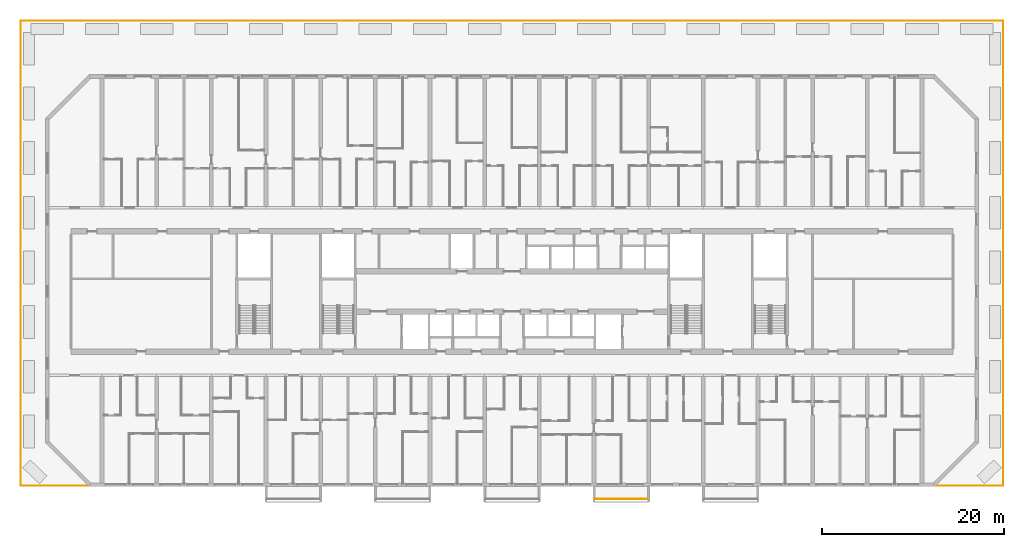
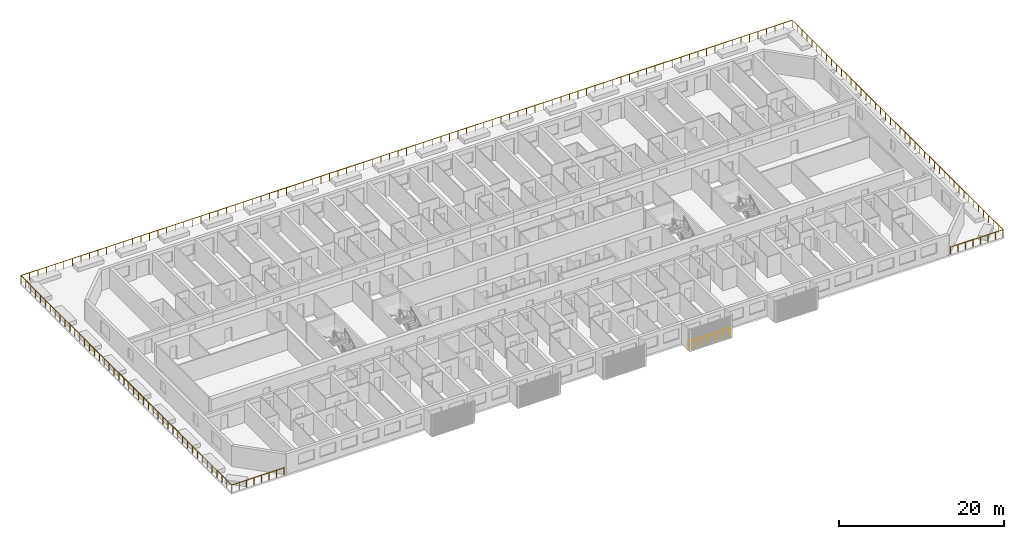
# One storey, part 22 of 23: 2 railings.
"""IFC4 building model written with IfcOpenShell, lengths in metres."""

from ifc_helpers import new_model, si_unit, direction, frame, origin, origin_2d, place, context, subcontext, project, spatial, circle, extrude, material, type_object, element, save


model = new_model("IFC4")

# Units and contexts
model_context = context("Model", 3, precision=1e-05, world=origin(), true_north=direction((0.0, 1.0)))
body_context = subcontext(model_context, "Body", "Model", "MODEL_VIEW")
ifc_project = project(units=[si_unit("LENGTHUNIT", "METRE"), si_unit("AREAUNIT", "SQUARE_METRE"), si_unit("VOLUMEUNIT", "CUBIC_METRE"), si_unit("PLANEANGLEUNIT", "RADIAN"), si_unit("MASSUNIT", "GRAM", prefix="KILO")], contexts=[model_context])

# Site, building, storey
site_placement = place(None, origin())
site = spatial("IfcSite", under=ifc_project, at=site_placement, CompositionType="ELEMENT")
building_placement = place(site_placement, origin())
building = spatial("IfcBuilding", under=site, at=building_placement, Name="Poui Terraces", CompositionType="ELEMENT")
storey_placement = place(building_placement, frame((0.0, 0.0, 23.39990234375)))
storey = spatial("IfcBuildingStorey", under=building, at=storey_placement, Name="L05", CompositionType="ELEMENT", Elevation=23.39990234375)

# Railings
ifc_material = material(Name="Painted steel fretwork", Category="steel")
railing_type_1 = type_object("IfcRailingType", Name="BALCONY GUARD 1100", PredefinedType="GUARDRAIL", material=ifc_material)
railing_1_placement = place(storey_placement, frame((60.10009765625, -1.570068359375, 0.0)))
element("IfcRailing", 1, at=railing_1_placement, inside=storey, type_object=railing_type_1, Name="BALCONY GUARD", PredefinedType="GUARDRAIL", context=body_context, shape_type="SweptSolid", body=[
    extrude(circle(Radius=0.02392578125, at=origin_2d()), frame((0.0, 0.0, 1.076171875), z_axis=(1.0, 0.0, 0.0), x_axis=(0.0, 1.0, 0.0)), (0.0, 0.0, 1.0), 5.7998046875),
    extrude(circle(Radius=0.02099609375, at=origin_2d()), origin(), (0.0, 0.0, 1.0), 1.052001953125),
    extrude(circle(Radius=0.02099609375, at=origin_2d()), frame((0.966552734375, 0.0, 0.0)), (0.0, 0.0, 1.0), 1.052001953125),
    extrude(circle(Radius=0.02099609375, at=origin_2d()), frame((1.933349609375, 0.0, 0.0)), (0.0, 0.0, 1.0), 1.052001953125),
    extrude(circle(Radius=0.02099609375, at=origin_2d()), frame((2.89990234375, 0.0, 0.0)), (0.0, 0.0, 1.0), 1.052001953125),
    extrude(circle(Radius=0.02099609375, at=origin_2d()), frame((3.866455078125, 0.0, 0.0)), (0.0, 0.0, 1.0), 1.052001953125),
    extrude(circle(Radius=0.02099609375, at=origin_2d()), frame((4.833251953125, 0.0, 0.0)), (0.0, 0.0, 1.0), 1.052001953125),
    extrude(circle(Radius=0.02099609375, at=origin_2d()), frame((5.7998046875, 0.0, 0.0)), (0.0, 0.0, 1.0), 1.052001953125),
])
railing_type_2 = type_object("IfcRailingType", Name="TERRACE GUARD 1100", PredefinedType="GUARDRAIL", material=ifc_material)
railing_2_placement = place(storey_placement, frame((4.443359375, -0.04345703125, 0.0)))
element("IfcRailing", 2, at=railing_2_placement, inside=storey, type_object=railing_type_2, Name="TERRACE GUARD", PredefinedType="GUARDRAIL", context=body_context, shape_type="SweptSolid", body=[
    extrude(circle(Radius=0.02392578125, at=origin_2d()), frame((0.0, 0.0, 1.076171875), z_axis=(-0.705577907011, -0.708632356824, 0.0), x_axis=(0.708632356824, -0.705577907011, 0.0)), (0.0, 0.0, 1.0), 0.079833984375),
    extrude(circle(Radius=0.02392578125, at=origin_2d()), frame((-0.056396484375, -0.056640625, 1.076171875), z_axis=(0.707106781187, -0.707106781187, 0.0), x_axis=(0.707106781187, 0.707106781187, 0.0)), (0.0, 0.0, 1.0), 0.0283203125),
    extrude(circle(Radius=0.02392578125, at=origin_2d()), frame((-0.036376953125, -0.07666015625, 1.076171875), z_axis=(-1.0, 0.0, 0.0), x_axis=(0.0, -1.0, 0.0)), (0.0, 0.0, 1.0), 7.326904296875),
    extrude(circle(Radius=0.02392578125, at=origin_2d()), frame((-7.36328125, -0.07666015625, 1.076171875), z_axis=(0.0, 1.0, 0.0), x_axis=(-1.0, 0.0, 0.0)), (0.0, 0.0, 1.0), 51.0400390625),
    extrude(circle(Radius=0.02392578125, at=origin_2d()), frame((-7.36328125, 50.96337890625, 1.076171875), z_axis=(1.0, 0.0, 0.0), x_axis=(0.0, 1.0, 0.0)), (0.0, 0.0, 1.0), 107.83984375),
    extrude(circle(Radius=0.02392578125, at=origin_2d()), frame((100.4765625, 50.96337890625, 1.076171875), z_axis=(0.0, -1.0, 0.0), x_axis=(1.0, 0.0, 0.0)), (0.0, 0.0, 1.0), 51.0400390625),
    extrude(circle(Radius=0.02392578125, at=origin_2d()), frame((100.4765625, -0.07666015625, 1.076171875), z_axis=(-1.0, 0.0, 0.0), x_axis=(0.0, -1.0, 0.0)), (0.0, 0.0, 1.0), 7.326904296875),
    extrude(circle(Radius=0.02392578125, at=origin_2d()), frame((93.149658203125, -0.07666015625, 1.076171875), z_axis=(0.707106781187, 0.707106781187, 0.0), x_axis=(-0.707106781187, 0.707106781187, 0.0)), (0.0, 0.0, 1.0), 0.0283203125),
    extrude(circle(Radius=0.02392578125, at=origin_2d()), frame((93.169677734375, -0.056640625, 1.076171875), z_axis=(-0.705577907011, 0.708632356824, 0.0), x_axis=(-0.708632356824, -0.705577907011, 0.0)), (0.0, 0.0, 1.0), 0.079833984375),
    extrude(circle(Radius=0.02099609375, at=origin_2d()), origin(), (0.0, 0.0, 1.0), 1.052001953125),
    extrude(circle(Radius=0.02099609375, at=origin_2d()), frame((-0.056396484375, -0.056640625, 0.0)), (0.0, 0.0, 1.0), 1.052001953125),
    extrude(circle(Radius=0.02099609375, at=origin_2d()), frame((-0.036376953125, -0.07666015625, 0.0)), (0.0, 0.0, 1.0), 1.052001953125),
    extrude(circle(Radius=0.02099609375, at=origin_2d()), frame((-1.0830078125, -0.07666015625, 0.0)), (0.0, 0.0, 1.0), 1.052001953125),
    extrude(circle(Radius=0.02099609375, at=origin_2d()), frame((-2.1298828125, -0.07666015625, 0.0)), (0.0, 0.0, 1.0), 1.052001953125),
    extrude(circle(Radius=0.02099609375, at=origin_2d()), frame((-3.176513671875, -0.07666015625, 0.0)), (0.0, 0.0, 1.0), 1.052001953125),
    extrude(circle(Radius=0.02099609375, at=origin_2d()), frame((-4.22314453125, -0.07666015625, 0.0)), (0.0, 0.0, 1.0), 1.052001953125),
    extrude(circle(Radius=0.02099609375, at=origin_2d()), frame((-5.269775390625, -0.07666015625, 0.0)), (0.0, 0.0, 1.0), 1.052001953125),
    extrude(circle(Radius=0.02099609375, at=origin_2d()), frame((-6.316650390625, -0.07666015625, 0.0)), (0.0, 0.0, 1.0), 1.052001953125),
    extrude(circle(Radius=0.02099609375, at=origin_2d()), frame((-7.36328125, -0.07666015625, 0.0)), (0.0, 0.0, 1.0), 1.052001953125),
    extrude(circle(Radius=0.02099609375, at=origin_2d()), frame((-7.36328125, 1.1103515625, 0.0)), (0.0, 0.0, 1.0), 1.052001953125),
    extrude(circle(Radius=0.02099609375, at=origin_2d()), frame((-7.36328125, 2.29736328125, 0.0)), (0.0, 0.0, 1.0), 1.052001953125),
    extrude(circle(Radius=0.02099609375, at=origin_2d()), frame((-7.36328125, 3.484375, 0.0)), (0.0, 0.0, 1.0), 1.052001953125),
    extrude(circle(Radius=0.02099609375, at=origin_2d()), frame((-7.36328125, 4.671142578125, 0.0)), (0.0, 0.0, 1.0), 1.052001953125),
    extrude(circle(Radius=0.02099609375, at=origin_2d()), frame((-7.36328125, 5.858154296875, 0.0)), (0.0, 0.0, 1.0), 1.052001953125),
    extrude(circle(Radius=0.02099609375, at=origin_2d()), frame((-7.36328125, 7.045166015625, 0.0)), (0.0, 0.0, 1.0), 1.052001953125),
    extrude(circle(Radius=0.02099609375, at=origin_2d()), frame((-7.36328125, 8.232177734375, 0.0)), (0.0, 0.0, 1.0), 1.052001953125),
    extrude(circle(Radius=0.02099609375, at=origin_2d()), frame((-7.36328125, 9.419189453125, 0.0)), (0.0, 0.0, 1.0), 1.052001953125),
    extrude(circle(Radius=0.02099609375, at=origin_2d()), frame((-7.36328125, 10.606201171875, 0.0)), (0.0, 0.0, 1.0), 1.052001953125),
    extrude(circle(Radius=0.02099609375, at=origin_2d()), frame((-7.36328125, 11.793212890625, 0.0)), (0.0, 0.0, 1.0), 1.052001953125),
    extrude(circle(Radius=0.02099609375, at=origin_2d()), frame((-7.36328125, 12.97998046875, 0.0)), (0.0, 0.0, 1.0), 1.052001953125),
    extrude(circle(Radius=0.02099609375, at=origin_2d()), frame((-7.36328125, 14.1669921875, 0.0)), (0.0, 0.0, 1.0), 1.052001953125),
    extrude(circle(Radius=0.02099609375, at=origin_2d()), frame((-7.36328125, 15.35400390625, 0.0)), (0.0, 0.0, 1.0), 1.052001953125),
    extrude(circle(Radius=0.02099609375, at=origin_2d()), frame((-7.36328125, 16.541015625, 0.0)), (0.0, 0.0, 1.0), 1.052001953125),
    extrude(circle(Radius=0.02099609375, at=origin_2d()), frame((-7.36328125, 17.72802734375, 0.0)), (0.0, 0.0, 1.0), 1.052001953125),
    extrude(circle(Radius=0.02099609375, at=origin_2d()), frame((-7.36328125, 18.9150390625, 0.0)), (0.0, 0.0, 1.0), 1.052001953125),
    extrude(circle(Radius=0.02099609375, at=origin_2d()), frame((-7.36328125, 20.10205078125, 0.0)), (0.0, 0.0, 1.0), 1.052001953125),
    extrude(circle(Radius=0.02099609375, at=origin_2d()), frame((-7.36328125, 21.288818359375, 0.0)), (0.0, 0.0, 1.0), 1.052001953125),
    extrude(circle(Radius=0.02099609375, at=origin_2d()), frame((-7.36328125, 22.475830078125, 0.0)), (0.0, 0.0, 1.0), 1.052001953125),
    extrude(circle(Radius=0.02099609375, at=origin_2d()), frame((-7.36328125, 23.662841796875, 0.0)), (0.0, 0.0, 1.0), 1.052001953125),
    extrude(circle(Radius=0.02099609375, at=origin_2d()), frame((-7.36328125, 24.849853515625, 0.0)), (0.0, 0.0, 1.0), 1.052001953125),
    extrude(circle(Radius=0.02099609375, at=origin_2d()), frame((-7.36328125, 26.036865234375, 0.0)), (0.0, 0.0, 1.0), 1.052001953125),
    extrude(circle(Radius=0.02099609375, at=origin_2d()), frame((-7.36328125, 27.223876953125, 0.0)), (0.0, 0.0, 1.0), 1.052001953125),
    extrude(circle(Radius=0.02099609375, at=origin_2d()), frame((-7.36328125, 28.410888671875, 0.0)), (0.0, 0.0, 1.0), 1.052001953125),
    extrude(circle(Radius=0.02099609375, at=origin_2d()), frame((-7.36328125, 29.597900390625, 0.0)), (0.0, 0.0, 1.0), 1.052001953125),
    extrude(circle(Radius=0.02099609375, at=origin_2d()), frame((-7.36328125, 30.78466796875, 0.0)), (0.0, 0.0, 1.0), 1.052001953125),
    extrude(circle(Radius=0.02099609375, at=origin_2d()), frame((-7.36328125, 31.9716796875, 0.0)), (0.0, 0.0, 1.0), 1.052001953125),
    extrude(circle(Radius=0.02099609375, at=origin_2d()), frame((-7.36328125, 33.15869140625, 0.0)), (0.0, 0.0, 1.0), 1.052001953125),
    extrude(circle(Radius=0.02099609375, at=origin_2d()), frame((-7.36328125, 34.345703125, 0.0)), (0.0, 0.0, 1.0), 1.052001953125),
    extrude(circle(Radius=0.02099609375, at=origin_2d()), frame((-7.36328125, 35.53271484375, 0.0)), (0.0, 0.0, 1.0), 1.052001953125),
    extrude(circle(Radius=0.02099609375, at=origin_2d()), frame((-7.36328125, 36.7197265625, 0.0)), (0.0, 0.0, 1.0), 1.052001953125),
    extrude(circle(Radius=0.02099609375, at=origin_2d()), frame((-7.36328125, 37.90673828125, 0.0)), (0.0, 0.0, 1.0), 1.052001953125),
    extrude(circle(Radius=0.02099609375, at=origin_2d()), frame((-7.36328125, 39.093505859375, 0.0)), (0.0, 0.0, 1.0), 1.052001953125),
    extrude(circle(Radius=0.02099609375, at=origin_2d()), frame((-7.36328125, 40.280517578125, 0.0)), (0.0, 0.0, 1.0), 1.052001953125),
    extrude(circle(Radius=0.02099609375, at=origin_2d()), frame((-7.36328125, 41.467529296875, 0.0)), (0.0, 0.0, 1.0), 1.052001953125),
    extrude(circle(Radius=0.02099609375, at=origin_2d()), frame((-7.36328125, 42.654541015625, 0.0)), (0.0, 0.0, 1.0), 1.052001953125),
    extrude(circle(Radius=0.02099609375, at=origin_2d()), frame((-7.36328125, 43.841552734375, 0.0)), (0.0, 0.0, 1.0), 1.052001953125),
    extrude(circle(Radius=0.02099609375, at=origin_2d()), frame((-7.36328125, 45.028564453125, 0.0)), (0.0, 0.0, 1.0), 1.052001953125),
    extrude(circle(Radius=0.02099609375, at=origin_2d()), frame((-7.36328125, 46.215576171875, 0.0)), (0.0, 0.0, 1.0), 1.052001953125),
    extrude(circle(Radius=0.02099609375, at=origin_2d()), frame((-7.36328125, 47.40234375, 0.0)), (0.0, 0.0, 1.0), 1.052001953125),
    extrude(circle(Radius=0.02099609375, at=origin_2d()), frame((-7.36328125, 48.58935546875, 0.0)), (0.0, 0.0, 1.0), 1.052001953125),
    extrude(circle(Radius=0.02099609375, at=origin_2d()), frame((-7.36328125, 49.7763671875, 0.0)), (0.0, 0.0, 1.0), 1.052001953125),
    extrude(circle(Radius=0.02099609375, at=origin_2d()), frame((-7.36328125, 50.96337890625, 0.0)), (0.0, 0.0, 1.0), 1.052001953125),
    extrude(circle(Radius=0.02099609375, at=origin_2d()), frame((-6.1650390625, 50.96337890625, 0.0)), (0.0, 0.0, 1.0), 1.052001953125),
    extrude(circle(Radius=0.02099609375, at=origin_2d()), frame((-4.966796875, 50.96337890625, 0.0)), (0.0, 0.0, 1.0), 1.052001953125),
    extrude(circle(Radius=0.02099609375, at=origin_2d()), frame((-3.7685546875, 50.96337890625, 0.0)), (0.0, 0.0, 1.0), 1.052001953125),
    extrude(circle(Radius=0.02099609375, at=origin_2d()), frame((-2.5703125, 50.96337890625, 0.0)), (0.0, 0.0, 1.0), 1.052001953125),
    extrude(circle(Radius=0.02099609375, at=origin_2d()), frame((-1.3720703125, 50.96337890625, 0.0)), (0.0, 0.0, 1.0), 1.052001953125),
    extrude(circle(Radius=0.02099609375, at=origin_2d()), frame((-0.174072265625, 50.96337890625, 0.0)), (0.0, 0.0, 1.0), 1.052001953125),
    extrude(circle(Radius=0.02099609375, at=origin_2d()), frame((1.024169921875, 50.96337890625, 0.0)), (0.0, 0.0, 1.0), 1.052001953125),
    extrude(circle(Radius=0.02099609375, at=origin_2d()), frame((2.222412109375, 50.96337890625, 0.0)), (0.0, 0.0, 1.0), 1.052001953125),
    extrude(circle(Radius=0.02099609375, at=origin_2d()), frame((3.420654296875, 50.96337890625, 0.0)), (0.0, 0.0, 1.0), 1.052001953125),
    extrude(circle(Radius=0.02099609375, at=origin_2d()), frame((4.618896484375, 50.96337890625, 0.0)), (0.0, 0.0, 1.0), 1.052001953125),
    extrude(circle(Radius=0.02099609375, at=origin_2d()), frame((5.817138671875, 50.96337890625, 0.0)), (0.0, 0.0, 1.0), 1.052001953125),
    extrude(circle(Radius=0.02099609375, at=origin_2d()), frame((7.015380859375, 50.96337890625, 0.0)), (0.0, 0.0, 1.0), 1.052001953125),
    extrude(circle(Radius=0.02099609375, at=origin_2d()), frame((8.213623046875, 50.96337890625, 0.0)), (0.0, 0.0, 1.0), 1.052001953125),
    extrude(circle(Radius=0.02099609375, at=origin_2d()), frame((9.411865234375, 50.96337890625, 0.0)), (0.0, 0.0, 1.0), 1.052001953125),
    extrude(circle(Radius=0.02099609375, at=origin_2d()), frame((10.610107421875, 50.96337890625, 0.0)), (0.0, 0.0, 1.0), 1.052001953125),
    extrude(circle(Radius=0.02099609375, at=origin_2d()), frame((11.808349609375, 50.96337890625, 0.0)), (0.0, 0.0, 1.0), 1.052001953125),
    extrude(circle(Radius=0.02099609375, at=origin_2d()), frame((13.00634765625, 50.96337890625, 0.0)), (0.0, 0.0, 1.0), 1.052001953125),
    extrude(circle(Radius=0.02099609375, at=origin_2d()), frame((14.20458984375, 50.96337890625, 0.0)), (0.0, 0.0, 1.0), 1.052001953125),
    extrude(circle(Radius=0.02099609375, at=origin_2d()), frame((15.40283203125, 50.96337890625, 0.0)), (0.0, 0.0, 1.0), 1.052001953125),
    extrude(circle(Radius=0.02099609375, at=origin_2d()), frame((16.60107421875, 50.96337890625, 0.0)), (0.0, 0.0, 1.0), 1.052001953125),
    extrude(circle(Radius=0.02099609375, at=origin_2d()), frame((17.79931640625, 50.96337890625, 0.0)), (0.0, 0.0, 1.0), 1.052001953125),
    extrude(circle(Radius=0.02099609375, at=origin_2d()), frame((18.99755859375, 50.96337890625, 0.0)), (0.0, 0.0, 1.0), 1.052001953125),
    extrude(circle(Radius=0.02099609375, at=origin_2d()), frame((20.19580078125, 50.96337890625, 0.0)), (0.0, 0.0, 1.0), 1.052001953125),
    extrude(circle(Radius=0.02099609375, at=origin_2d()), frame((21.39404296875, 50.96337890625, 0.0)), (0.0, 0.0, 1.0), 1.052001953125),
    extrude(circle(Radius=0.02099609375, at=origin_2d()), frame((22.59228515625, 50.96337890625, 0.0)), (0.0, 0.0, 1.0), 1.052001953125),
    extrude(circle(Radius=0.02099609375, at=origin_2d()), frame((23.79052734375, 50.96337890625, 0.0)), (0.0, 0.0, 1.0), 1.052001953125),
    extrude(circle(Radius=0.02099609375, at=origin_2d()), frame((24.98876953125, 50.96337890625, 0.0)), (0.0, 0.0, 1.0), 1.052001953125),
    extrude(circle(Radius=0.02099609375, at=origin_2d()), frame((26.18701171875, 50.96337890625, 0.0)), (0.0, 0.0, 1.0), 1.052001953125),
    extrude(circle(Radius=0.02099609375, at=origin_2d()), frame((27.385009765625, 50.96337890625, 0.0)), (0.0, 0.0, 1.0), 1.052001953125),
    extrude(circle(Radius=0.02099609375, at=origin_2d()), frame((28.583251953125, 50.96337890625, 0.0)), (0.0, 0.0, 1.0), 1.052001953125),
    extrude(circle(Radius=0.02099609375, at=origin_2d()), frame((29.781494140625, 50.96337890625, 0.0)), (0.0, 0.0, 1.0), 1.052001953125),
    extrude(circle(Radius=0.02099609375, at=origin_2d()), frame((30.979736328125, 50.96337890625, 0.0)), (0.0, 0.0, 1.0), 1.052001953125),
    extrude(circle(Radius=0.02099609375, at=origin_2d()), frame((32.177978515625, 50.96337890625, 0.0)), (0.0, 0.0, 1.0), 1.052001953125),
    extrude(circle(Radius=0.02099609375, at=origin_2d()), frame((33.376220703125, 50.96337890625, 0.0)), (0.0, 0.0, 1.0), 1.052001953125),
    extrude(circle(Radius=0.02099609375, at=origin_2d()), frame((34.574462890625, 50.96337890625, 0.0)), (0.0, 0.0, 1.0), 1.052001953125),
    extrude(circle(Radius=0.02099609375, at=origin_2d()), frame((35.772705078125, 50.96337890625, 0.0)), (0.0, 0.0, 1.0), 1.052001953125),
    extrude(circle(Radius=0.02099609375, at=origin_2d()), frame((36.970947265625, 50.96337890625, 0.0)), (0.0, 0.0, 1.0), 1.052001953125),
    extrude(circle(Radius=0.02099609375, at=origin_2d()), frame((38.169189453125, 50.96337890625, 0.0)), (0.0, 0.0, 1.0), 1.052001953125),
    extrude(circle(Radius=0.02099609375, at=origin_2d()), frame((39.367431640625, 50.96337890625, 0.0)), (0.0, 0.0, 1.0), 1.052001953125),
    extrude(circle(Radius=0.02099609375, at=origin_2d()), frame((40.5654296875, 50.96337890625, 0.0)), (0.0, 0.0, 1.0), 1.052001953125),
    extrude(circle(Radius=0.02099609375, at=origin_2d()), frame((41.763671875, 50.96337890625, 0.0)), (0.0, 0.0, 1.0), 1.052001953125),
    extrude(circle(Radius=0.02099609375, at=origin_2d()), frame((42.9619140625, 50.96337890625, 0.0)), (0.0, 0.0, 1.0), 1.052001953125),
    extrude(circle(Radius=0.02099609375, at=origin_2d()), frame((44.16015625, 50.96337890625, 0.0)), (0.0, 0.0, 1.0), 1.052001953125),
    extrude(circle(Radius=0.02099609375, at=origin_2d()), frame((45.3583984375, 50.96337890625, 0.0)), (0.0, 0.0, 1.0), 1.052001953125),
    extrude(circle(Radius=0.02099609375, at=origin_2d()), frame((46.556640625, 50.96337890625, 0.0)), (0.0, 0.0, 1.0), 1.052001953125),
    extrude(circle(Radius=0.02099609375, at=origin_2d()), frame((47.7548828125, 50.96337890625, 0.0)), (0.0, 0.0, 1.0), 1.052001953125),
    extrude(circle(Radius=0.02099609375, at=origin_2d()), frame((48.953125, 50.96337890625, 0.0)), (0.0, 0.0, 1.0), 1.052001953125),
    extrude(circle(Radius=0.02099609375, at=origin_2d()), frame((50.1513671875, 50.96337890625, 0.0)), (0.0, 0.0, 1.0), 1.052001953125),
    extrude(circle(Radius=0.02099609375, at=origin_2d()), frame((51.349609375, 50.96337890625, 0.0)), (0.0, 0.0, 1.0), 1.052001953125),
    extrude(circle(Radius=0.02099609375, at=origin_2d()), frame((52.5478515625, 50.96337890625, 0.0)), (0.0, 0.0, 1.0), 1.052001953125),
    extrude(circle(Radius=0.02099609375, at=origin_2d()), frame((53.745849609375, 50.96337890625, 0.0)), (0.0, 0.0, 1.0), 1.052001953125),
    extrude(circle(Radius=0.02099609375, at=origin_2d()), frame((54.944091796875, 50.96337890625, 0.0)), (0.0, 0.0, 1.0), 1.052001953125),
    extrude(circle(Radius=0.02099609375, at=origin_2d()), frame((56.142333984375, 50.96337890625, 0.0)), (0.0, 0.0, 1.0), 1.052001953125),
    extrude(circle(Radius=0.02099609375, at=origin_2d()), frame((57.340576171875, 50.96337890625, 0.0)), (0.0, 0.0, 1.0), 1.052001953125),
    extrude(circle(Radius=0.02099609375, at=origin_2d()), frame((58.538818359375, 50.96337890625, 0.0)), (0.0, 0.0, 1.0), 1.052001953125),
    extrude(circle(Radius=0.02099609375, at=origin_2d()), frame((59.737060546875, 50.96337890625, 0.0)), (0.0, 0.0, 1.0), 1.052001953125),
    extrude(circle(Radius=0.02099609375, at=origin_2d()), frame((60.935302734375, 50.96337890625, 0.0)), (0.0, 0.0, 1.0), 1.052001953125),
    extrude(circle(Radius=0.02099609375, at=origin_2d()), frame((62.133544921875, 50.96337890625, 0.0)), (0.0, 0.0, 1.0), 1.052001953125),
    extrude(circle(Radius=0.02099609375, at=origin_2d()), frame((63.331787109375, 50.96337890625, 0.0)), (0.0, 0.0, 1.0), 1.052001953125),
    extrude(circle(Radius=0.02099609375, at=origin_2d()), frame((64.530029296875, 50.96337890625, 0.0)), (0.0, 0.0, 1.0), 1.052001953125),
    extrude(circle(Radius=0.02099609375, at=origin_2d()), frame((65.728271484375, 50.96337890625, 0.0)), (0.0, 0.0, 1.0), 1.052001953125),
    extrude(circle(Radius=0.02099609375, at=origin_2d()), frame((66.92626953125, 50.96337890625, 0.0)), (0.0, 0.0, 1.0), 1.052001953125),
    extrude(circle(Radius=0.02099609375, at=origin_2d()), frame((68.12451171875, 50.96337890625, 0.0)), (0.0, 0.0, 1.0), 1.052001953125),
    extrude(circle(Radius=0.02099609375, at=origin_2d()), frame((69.32275390625, 50.96337890625, 0.0)), (0.0, 0.0, 1.0), 1.052001953125),
    extrude(circle(Radius=0.02099609375, at=origin_2d()), frame((70.52099609375, 50.96337890625, 0.0)), (0.0, 0.0, 1.0), 1.052001953125),
    extrude(circle(Radius=0.02099609375, at=origin_2d()), frame((71.71923828125, 50.96337890625, 0.0)), (0.0, 0.0, 1.0), 1.052001953125),
    extrude(circle(Radius=0.02099609375, at=origin_2d()), frame((72.91748046875, 50.96337890625, 0.0)), (0.0, 0.0, 1.0), 1.052001953125),
    extrude(circle(Radius=0.02099609375, at=origin_2d()), frame((74.11572265625, 50.96337890625, 0.0)), (0.0, 0.0, 1.0), 1.052001953125),
    extrude(circle(Radius=0.02099609375, at=origin_2d()), frame((75.31396484375, 50.96337890625, 0.0)), (0.0, 0.0, 1.0), 1.052001953125),
    extrude(circle(Radius=0.02099609375, at=origin_2d()), frame((76.51220703125, 50.96337890625, 0.0)), (0.0, 0.0, 1.0), 1.052001953125),
    extrude(circle(Radius=0.02099609375, at=origin_2d()), frame((77.71044921875, 50.96337890625, 0.0)), (0.0, 0.0, 1.0), 1.052001953125),
    extrude(circle(Radius=0.02099609375, at=origin_2d()), frame((78.90869140625, 50.96337890625, 0.0)), (0.0, 0.0, 1.0), 1.052001953125),
    extrude(circle(Radius=0.02099609375, at=origin_2d()), frame((80.10693359375, 50.96337890625, 0.0)), (0.0, 0.0, 1.0), 1.052001953125),
    extrude(circle(Radius=0.02099609375, at=origin_2d()), frame((81.304931640625, 50.96337890625, 0.0)), (0.0, 0.0, 1.0), 1.052001953125),
    extrude(circle(Radius=0.02099609375, at=origin_2d()), frame((82.503173828125, 50.96337890625, 0.0)), (0.0, 0.0, 1.0), 1.052001953125),
    extrude(circle(Radius=0.02099609375, at=origin_2d()), frame((83.701416015625, 50.96337890625, 0.0)), (0.0, 0.0, 1.0), 1.052001953125),
    extrude(circle(Radius=0.02099609375, at=origin_2d()), frame((84.899658203125, 50.96337890625, 0.0)), (0.0, 0.0, 1.0), 1.052001953125),
    extrude(circle(Radius=0.02099609375, at=origin_2d()), frame((86.097900390625, 50.96337890625, 0.0)), (0.0, 0.0, 1.0), 1.052001953125),
    extrude(circle(Radius=0.02099609375, at=origin_2d()), frame((87.296142578125, 50.96337890625, 0.0)), (0.0, 0.0, 1.0), 1.052001953125),
    extrude(circle(Radius=0.02099609375, at=origin_2d()), frame((88.494384765625, 50.96337890625, 0.0)), (0.0, 0.0, 1.0), 1.052001953125),
    extrude(circle(Radius=0.02099609375, at=origin_2d()), frame((89.692626953125, 50.96337890625, 0.0)), (0.0, 0.0, 1.0), 1.052001953125),
    extrude(circle(Radius=0.02099609375, at=origin_2d()), frame((90.890869140625, 50.96337890625, 0.0)), (0.0, 0.0, 1.0), 1.052001953125),
    extrude(circle(Radius=0.02099609375, at=origin_2d()), frame((92.089111328125, 50.96337890625, 0.0)), (0.0, 0.0, 1.0), 1.052001953125),
    extrude(circle(Radius=0.02099609375, at=origin_2d()), frame((93.287353515625, 50.96337890625, 0.0)), (0.0, 0.0, 1.0), 1.052001953125),
    extrude(circle(Radius=0.02099609375, at=origin_2d()), frame((94.4853515625, 50.96337890625, 0.0)), (0.0, 0.0, 1.0), 1.052001953125),
    extrude(circle(Radius=0.02099609375, at=origin_2d()), frame((95.68359375, 50.96337890625, 0.0)), (0.0, 0.0, 1.0), 1.052001953125),
    extrude(circle(Radius=0.02099609375, at=origin_2d()), frame((96.8818359375, 50.96337890625, 0.0)), (0.0, 0.0, 1.0), 1.052001953125),
    extrude(circle(Radius=0.02099609375, at=origin_2d()), frame((98.080078125, 50.96337890625, 0.0)), (0.0, 0.0, 1.0), 1.052001953125),
    extrude(circle(Radius=0.02099609375, at=origin_2d()), frame((99.2783203125, 50.96337890625, 0.0)), (0.0, 0.0, 1.0), 1.052001953125),
    extrude(circle(Radius=0.02099609375, at=origin_2d()), frame((100.4765625, 50.96337890625, 0.0)), (0.0, 0.0, 1.0), 1.052001953125),
    extrude(circle(Radius=0.02099609375, at=origin_2d()), frame((100.4765625, 49.7763671875, 0.0)), (0.0, 0.0, 1.0), 1.052001953125),
    extrude(circle(Radius=0.02099609375, at=origin_2d()), frame((100.4765625, 48.58935546875, 0.0)), (0.0, 0.0, 1.0), 1.052001953125),
    extrude(circle(Radius=0.02099609375, at=origin_2d()), frame((100.4765625, 47.40234375, 0.0)), (0.0, 0.0, 1.0), 1.052001953125),
    extrude(circle(Radius=0.02099609375, at=origin_2d()), frame((100.4765625, 46.215576171875, 0.0)), (0.0, 0.0, 1.0), 1.052001953125),
    extrude(circle(Radius=0.02099609375, at=origin_2d()), frame((100.4765625, 45.028564453125, 0.0)), (0.0, 0.0, 1.0), 1.052001953125),
    extrude(circle(Radius=0.02099609375, at=origin_2d()), frame((100.4765625, 43.841552734375, 0.0)), (0.0, 0.0, 1.0), 1.052001953125),
    extrude(circle(Radius=0.02099609375, at=origin_2d()), frame((100.4765625, 42.654541015625, 0.0)), (0.0, 0.0, 1.0), 1.052001953125),
    extrude(circle(Radius=0.02099609375, at=origin_2d()), frame((100.4765625, 41.467529296875, 0.0)), (0.0, 0.0, 1.0), 1.052001953125),
    extrude(circle(Radius=0.02099609375, at=origin_2d()), frame((100.4765625, 40.280517578125, 0.0)), (0.0, 0.0, 1.0), 1.052001953125),
    extrude(circle(Radius=0.02099609375, at=origin_2d()), frame((100.4765625, 39.093505859375, 0.0)), (0.0, 0.0, 1.0), 1.052001953125),
    extrude(circle(Radius=0.02099609375, at=origin_2d()), frame((100.4765625, 37.90673828125, 0.0)), (0.0, 0.0, 1.0), 1.052001953125),
    extrude(circle(Radius=0.02099609375, at=origin_2d()), frame((100.4765625, 36.7197265625, 0.0)), (0.0, 0.0, 1.0), 1.052001953125),
    extrude(circle(Radius=0.02099609375, at=origin_2d()), frame((100.4765625, 35.53271484375, 0.0)), (0.0, 0.0, 1.0), 1.052001953125),
    extrude(circle(Radius=0.02099609375, at=origin_2d()), frame((100.4765625, 34.345703125, 0.0)), (0.0, 0.0, 1.0), 1.052001953125),
    extrude(circle(Radius=0.02099609375, at=origin_2d()), frame((100.4765625, 33.15869140625, 0.0)), (0.0, 0.0, 1.0), 1.052001953125),
    extrude(circle(Radius=0.02099609375, at=origin_2d()), frame((100.4765625, 31.9716796875, 0.0)), (0.0, 0.0, 1.0), 1.052001953125),
    extrude(circle(Radius=0.02099609375, at=origin_2d()), frame((100.4765625, 30.78466796875, 0.0)), (0.0, 0.0, 1.0), 1.052001953125),
    extrude(circle(Radius=0.02099609375, at=origin_2d()), frame((100.4765625, 29.597900390625, 0.0)), (0.0, 0.0, 1.0), 1.052001953125),
    extrude(circle(Radius=0.02099609375, at=origin_2d()), frame((100.4765625, 28.410888671875, 0.0)), (0.0, 0.0, 1.0), 1.052001953125),
    extrude(circle(Radius=0.02099609375, at=origin_2d()), frame((100.4765625, 27.223876953125, 0.0)), (0.0, 0.0, 1.0), 1.052001953125),
    extrude(circle(Radius=0.02099609375, at=origin_2d()), frame((100.4765625, 26.036865234375, 0.0)), (0.0, 0.0, 1.0), 1.052001953125),
    extrude(circle(Radius=0.02099609375, at=origin_2d()), frame((100.4765625, 24.849853515625, 0.0)), (0.0, 0.0, 1.0), 1.052001953125),
    extrude(circle(Radius=0.02099609375, at=origin_2d()), frame((100.4765625, 23.662841796875, 0.0)), (0.0, 0.0, 1.0), 1.052001953125),
    extrude(circle(Radius=0.02099609375, at=origin_2d()), frame((100.4765625, 22.475830078125, 0.0)), (0.0, 0.0, 1.0), 1.052001953125),
    extrude(circle(Radius=0.02099609375, at=origin_2d()), frame((100.4765625, 21.288818359375, 0.0)), (0.0, 0.0, 1.0), 1.052001953125),
    extrude(circle(Radius=0.02099609375, at=origin_2d()), frame((100.4765625, 20.10205078125, 0.0)), (0.0, 0.0, 1.0), 1.052001953125),
    extrude(circle(Radius=0.02099609375, at=origin_2d()), frame((100.4765625, 18.9150390625, 0.0)), (0.0, 0.0, 1.0), 1.052001953125),
    extrude(circle(Radius=0.02099609375, at=origin_2d()), frame((100.4765625, 17.72802734375, 0.0)), (0.0, 0.0, 1.0), 1.052001953125),
    extrude(circle(Radius=0.02099609375, at=origin_2d()), frame((100.4765625, 16.541015625, 0.0)), (0.0, 0.0, 1.0), 1.052001953125),
    extrude(circle(Radius=0.02099609375, at=origin_2d()), frame((100.4765625, 15.35400390625, 0.0)), (0.0, 0.0, 1.0), 1.052001953125),
    extrude(circle(Radius=0.02099609375, at=origin_2d()), frame((100.4765625, 14.1669921875, 0.0)), (0.0, 0.0, 1.0), 1.052001953125),
    extrude(circle(Radius=0.02099609375, at=origin_2d()), frame((100.4765625, 12.97998046875, 0.0)), (0.0, 0.0, 1.0), 1.052001953125),
    extrude(circle(Radius=0.02099609375, at=origin_2d()), frame((100.4765625, 11.793212890625, 0.0)), (0.0, 0.0, 1.0), 1.052001953125),
    extrude(circle(Radius=0.02099609375, at=origin_2d()), frame((100.4765625, 10.606201171875, 0.0)), (0.0, 0.0, 1.0), 1.052001953125),
    extrude(circle(Radius=0.02099609375, at=origin_2d()), frame((100.4765625, 9.419189453125, 0.0)), (0.0, 0.0, 1.0), 1.052001953125),
    extrude(circle(Radius=0.02099609375, at=origin_2d()), frame((100.4765625, 8.232177734375, 0.0)), (0.0, 0.0, 1.0), 1.052001953125),
    extrude(circle(Radius=0.02099609375, at=origin_2d()), frame((100.4765625, 7.045166015625, 0.0)), (0.0, 0.0, 1.0), 1.052001953125),
    extrude(circle(Radius=0.02099609375, at=origin_2d()), frame((100.4765625, 5.858154296875, 0.0)), (0.0, 0.0, 1.0), 1.052001953125),
    extrude(circle(Radius=0.02099609375, at=origin_2d()), frame((100.4765625, 4.671142578125, 0.0)), (0.0, 0.0, 1.0), 1.052001953125),
    extrude(circle(Radius=0.02099609375, at=origin_2d()), frame((100.4765625, 3.484375, 0.0)), (0.0, 0.0, 1.0), 1.052001953125),
    extrude(circle(Radius=0.02099609375, at=origin_2d()), frame((100.4765625, 2.29736328125, 0.0)), (0.0, 0.0, 1.0), 1.052001953125),
    extrude(circle(Radius=0.02099609375, at=origin_2d()), frame((100.4765625, 1.1103515625, 0.0)), (0.0, 0.0, 1.0), 1.052001953125),
    extrude(circle(Radius=0.02099609375, at=origin_2d()), frame((100.4765625, -0.07666015625, 0.0)), (0.0, 0.0, 1.0), 1.052001953125),
    extrude(circle(Radius=0.02099609375, at=origin_2d()), frame((99.429931640625, -0.07666015625, 0.0)), (0.0, 0.0, 1.0), 1.052001953125),
    extrude(circle(Radius=0.02099609375, at=origin_2d()), frame((98.383056640625, -0.07666015625, 0.0)), (0.0, 0.0, 1.0), 1.052001953125),
    extrude(circle(Radius=0.02099609375, at=origin_2d()), frame((97.33642578125, -0.07666015625, 0.0)), (0.0, 0.0, 1.0), 1.052001953125),
    extrude(circle(Radius=0.02099609375, at=origin_2d()), frame((96.289794921875, -0.07666015625, 0.0)), (0.0, 0.0, 1.0), 1.052001953125),
    extrude(circle(Radius=0.02099609375, at=origin_2d()), frame((95.2431640625, -0.07666015625, 0.0)), (0.0, 0.0, 1.0), 1.052001953125),
    extrude(circle(Radius=0.02099609375, at=origin_2d()), frame((94.1962890625, -0.07666015625, 0.0)), (0.0, 0.0, 1.0), 1.052001953125),
    extrude(circle(Radius=0.02099609375, at=origin_2d()), frame((93.149658203125, -0.07666015625, 0.0)), (0.0, 0.0, 1.0), 1.052001953125),
    extrude(circle(Radius=0.02099609375, at=origin_2d()), frame((93.169677734375, -0.056640625, 0.0)), (0.0, 0.0, 1.0), 1.052001953125),
    extrude(circle(Radius=0.02099609375, at=origin_2d()), frame((93.11328125, 0.0, 0.0)), (0.0, 0.0, 1.0), 1.052001953125),
])

save(model, "model.ifc")
